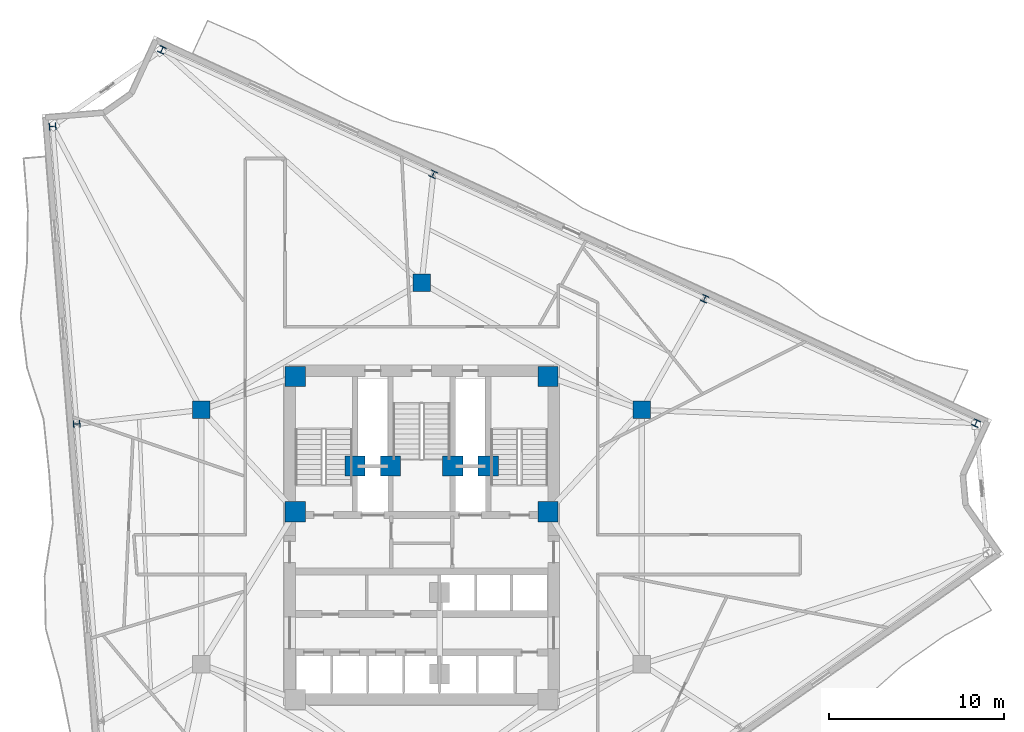
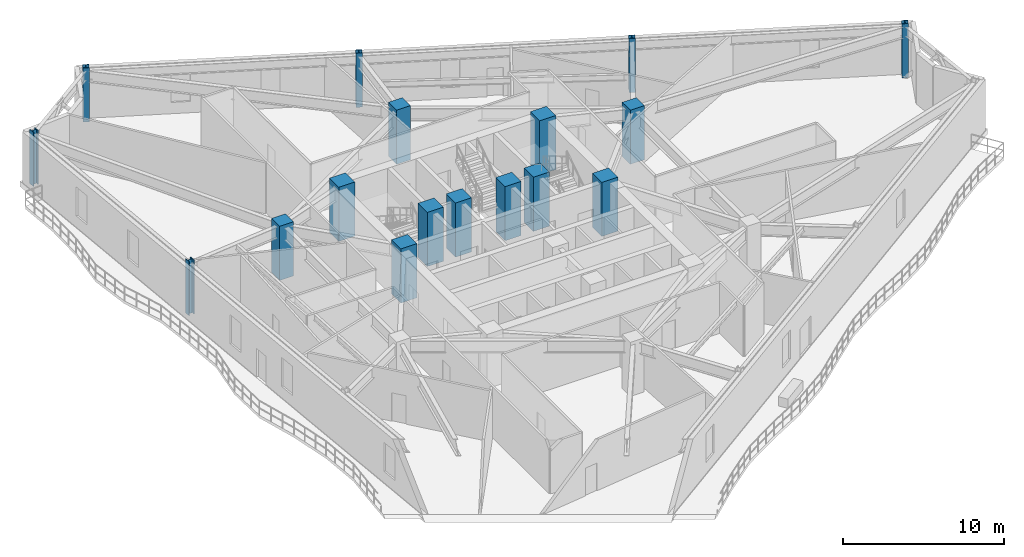
# One storey, part 2 of 14: 17 columns.
"""IFC4 building model written with IfcOpenShell, lengths in metres."""

import ifcopenshell
import ifcopenshell.guid

model = None  # the IFC model being written
_history = None  # IfcOwnerHistory: only IFC2X3 demands one
_inside = {}  # id of a spatial element -> (the spatial element, [elements in it])
_under = {}  # id of a project, library or spatial element -> (it, [spatial elements below it])
_declared = {}  # id of a project -> (the project, [libraries it declares])
_typed = {}  # id of a type object -> (the type object, [elements of that type])
_made_of = {}  # id of a material, layer set ... -> (it, [elements and type objects made of it])


def new_model(schema):
    """Start an empty IFC model of exactly this schema.

    Asked for "IFC4X3", IfcOpenShell would pick the latest addendum, in which some entities
    have other attributes; the version numbers below select the first issue.
    IFC2X3 requires an IfcOwnerHistory on every rooted entity: one is made here for all.
    """
    global model, _history
    if schema == "IFC4X3":
        model = ifcopenshell.file(schema_version=(4, 3, 0, 0))
    else:
        model = ifcopenshell.file(schema=schema)
    _inside.clear()
    _under.clear()
    _declared.clear()
    _typed.clear()
    _made_of.clear()
    _history = None
    if model.schema == "IFC2X3":
        org = make("IfcOrganization", Name="unknown")
        user = make(
            "IfcPersonAndOrganization",
            ThePerson=make("IfcPerson", FamilyName="unknown"),
            TheOrganization=org,
        )
        app = make(
            "IfcApplication",
            ApplicationDeveloper=org,
            Version="unknown",
            ApplicationFullName="unknown",
            ApplicationIdentifier="unknown",
        )
        _history = make(
            "IfcOwnerHistory",
            OwningUser=user,
            OwningApplication=app,
            ChangeAction="ADDED",
            CreationDate=0,
        )
    return model


def make(cls, **values):
    """One entity of the class cls with the attributes given. An attribute that is None is left unset."""
    return model.create_entity(
        cls, **{name: value for name, value in values.items() if value is not None}
    )


def rooted(cls, **values):
    """An entity with a GlobalId (a new one), such as an element, a storey or a relation."""
    return make(cls, GlobalId=ifcopenshell.guid.new(), OwnerHistory=_history, **values)


def si_unit(unit_type, name, prefix=None):
    """IfcSIUnit, for example si_unit("LENGTHUNIT", "METRE", prefix="MILLI")."""
    return make("IfcSIUnit", UnitType=unit_type, Prefix=prefix, Name=name)


def assignment(units):
    """IfcUnitAssignment: the units of a project."""
    return None if units is None else make("IfcUnitAssignment", Units=units)


def point(xyz):
    """IfcCartesianPoint."""
    return None if xyz is None else make("IfcCartesianPoint", Coordinates=xyz)


def direction(xyz):
    """IfcDirection."""
    return None if xyz is None else make("IfcDirection", DirectionRatios=xyz)


def frame(location, z_axis=None, x_axis=None):
    """IfcAxis2Placement3D, a coordinate frame: its origin and axes. An axis left out is left unset."""
    return make(
        "IfcAxis2Placement3D",
        Location=point(location),
        Axis=direction(z_axis),
        RefDirection=direction(x_axis),
    )


def frame_2d(location, x_axis=None):
    """IfcAxis2Placement2D, a coordinate frame in the plane: its origin and x axis."""
    return make(
        "IfcAxis2Placement2D", Location=point(location), RefDirection=direction(x_axis)
    )


def origin():
    """The frame at (0, 0, 0) with its axes left unset."""
    return frame((0.0, 0.0, 0.0))


def origin_2d():
    """The frame at (0, 0) in the plane with its x axis left unset."""
    return frame_2d((0.0, 0.0))


def place(relative_to, where):
    """IfcLocalPlacement: puts the frame where relative to a parent placement (None: the world)."""
    return make(
        "IfcLocalPlacement", PlacementRelTo=relative_to, RelativePlacement=where
    )


def context(
    kind, dimensions, precision=None, world=None, true_north=None, identifier=None
):
    """IfcGeometricRepresentationContext, for example the 3D "Model" context."""
    return make(
        "IfcGeometricRepresentationContext",
        ContextIdentifier=identifier,
        ContextType=kind,
        CoordinateSpaceDimension=dimensions,
        Precision=precision,
        WorldCoordinateSystem=world,
        TrueNorth=true_north,
    )


def subcontext(parent, identifier, kind, view, scale=None):
    """IfcGeometricRepresentationSubContext, for example "Body" below "Model"."""
    return make(
        "IfcGeometricRepresentationSubContext",
        ContextIdentifier=identifier,
        ContextType=kind,
        ParentContext=parent,
        TargetScale=scale,
        TargetView=view,
    )


def project(units=None, contexts=None):
    """IfcProject with its units and contexts."""
    return rooted(
        "IfcProject",
        Name="project",
        RepresentationContexts=contexts,
        UnitsInContext=assignment(units),
    )


def spatial(cls, under=None, at=None, **own):
    """A site, building, storey or space (cls), placed at a placement, below another one or the project."""
    s = rooted(cls, ObjectPlacement=at, **own)
    if under is not None:
        _under.setdefault(under.id(), (under, []))[1].append(s)
    return s


def profile(cls, at=None, kind="AREA", **sizes):
    """A parametric profile (cls). Its sizes go by their IFC names, for example OverallWidth=200.0."""
    return make(cls, ProfileType=kind, Position=at, **sizes)


def rectangle(**sizes):
    """IfcRectangleProfileDef."""
    return profile("IfcRectangleProfileDef", **sizes)


def i_section(**sizes):
    """IfcIShapeProfileDef."""
    return profile("IfcIShapeProfileDef", **sizes)


def extrude(swept, where, along, depth):
    """IfcExtrudedAreaSolid: the profile swept, set in the frame where, extruded along a direction by depth."""
    return make(
        "IfcExtrudedAreaSolid",
        SweptArea=swept,
        Position=where,
        ExtrudedDirection=direction(along),
        Depth=depth,
    )


def shape(context_of_items, identifier, shape_type, items):
    """IfcShapeRepresentation: the items that make up one representation, for example the "Body"."""
    return make(
        "IfcShapeRepresentation",
        ContextOfItems=context_of_items,
        RepresentationIdentifier=identifier,
        RepresentationType=shape_type,
        Items=items,
    )


def material(Name=None, Category=None):
    """IfcMaterial."""
    return make("IfcMaterial", Name=Name, Category=Category)


def material_profile(
    of_material, cross_section, Name=None, Category=None, Priority=None
):
    """IfcMaterialProfile: a cross section and its material."""
    return make(
        "IfcMaterialProfile",
        Name=Name,
        Material=of_material,
        Profile=cross_section,
        Priority=Priority,
        Category=Category,
    )


def profile_set(profiles, Name=None, composite=None):
    """IfcMaterialProfileSet."""
    return make(
        "IfcMaterialProfileSet",
        Name=Name,
        MaterialProfiles=profiles,
        CompositeProfile=composite,
    )


def made_of(thing, what):
    """Note that an element or type object is made of a material, layer set ...; save() writes the relation."""
    if what is not None:
        _made_of.setdefault(what.id(), (what, []))[1].append(thing)
    return thing


def type_object(cls, material=None, **own):
    """A type object (cls), such as IfcWallType, which elements share."""
    return made_of(rooted(cls, **own), material)


def element(
    cls,
    number,
    at=None,
    inside=None,
    cuts=None,
    type_object=None,
    material=None,
    context=None,
    identifier="Body",
    shape_type=None,
    held_by="IfcProductDefinitionShape",
    body=None,
    shapes=None,
    **own,
):
    """One element of the class cls, such as IfcWall. Its Tag is "e" and its number.

    at: its placement. inside: the storey or other place that contains it. cuts: it is an
    opening in that element (IfcRelVoidsElement). A single representation is given by context,
    identifier, shape_type and body (its items); several are given by shapes. held_by: the class
    of the entity that holds the representations. save() writes the other relations.
    """
    e = rooted(cls, Tag="e%d" % number, ObjectPlacement=at, **own)
    if body is not None:
        shapes = [shape(context, identifier, shape_type, body)]
    if shapes is not None:
        e.Representation = make(held_by, Representations=shapes)
    if inside is not None:
        _inside.setdefault(inside.id(), (inside, []))[1].append(e)
    if cuts is not None:
        rooted(
            "IfcRelVoidsElement", RelatingBuildingElement=cuts, RelatedOpeningElement=e
        )
    if type_object is not None:
        _typed.setdefault(type_object.id(), (type_object, []))[1].append(e)
    return made_of(e, material)


def aggregate(whole, parts):
    """IfcRelAggregates: a whole, such as a stair, and the parts it consists of."""
    return rooted("IfcRelAggregates", RelatingObject=whole, RelatedObjects=parts)


def save(model, path):
    """Write the relations noted so far, then the file.

    IfcRelAggregates (storeys below a building ...), IfcRelContainedInSpatialStructure (elements
    in a storey), IfcRelDefinesByType, IfcRelAssociatesMaterial and IfcRelDeclares: one each for
    every whole, place, type object, material and project.
    """
    for whole, parts in _under.values():
        aggregate(whole, parts)
    for where, things in _inside.values():
        rooted(
            "IfcRelContainedInSpatialStructure",
            RelatedElements=things,
            RelatingStructure=where,
        )
    for kind, things in _typed.values():
        rooted("IfcRelDefinesByType", RelatedObjects=things, RelatingType=kind)
    for what, things in _made_of.values():
        rooted("IfcRelAssociatesMaterial", RelatedObjects=things, RelatingMaterial=what)
    for by, libraries in _declared.values():
        rooted("IfcRelDeclares", RelatingContext=by, RelatedDefinitions=libraries)
    model.write(path)


model = new_model("IFC4")

# Units and contexts
model_context = context("Model", 3, precision=1e-05, world=origin(), true_north=direction((0.0, 1.0)))
body_context = subcontext(model_context, "Body", "Model", "MODEL_VIEW")
ifc_project = project(units=[si_unit("LENGTHUNIT", "METRE"), si_unit("AREAUNIT", "SQUARE_METRE"), si_unit("VOLUMEUNIT", "CUBIC_METRE"), si_unit("PLANEANGLEUNIT", "RADIAN"), si_unit("MASSUNIT", "GRAM", prefix="KILO")], contexts=[model_context])

# Site, building, storey
site_placement = place(None, origin())
site = spatial("IfcSite", under=ifc_project, at=site_placement, CompositionType="ELEMENT")
building_placement = place(site_placement, origin())
building = spatial("IfcBuilding", under=site, at=building_placement, Name="Apsidion Concourse Tower", CompositionType="ELEMENT")
storey_placement = place(building_placement, frame((0.0, 0.0, 194.199951171875)))
storey = spatial("IfcBuildingStorey", under=building, at=storey_placement, Name="L45", CompositionType="ELEMENT", Elevation=194.199951171875)

# Columns
ifc_material_1 = material(Name="Concrete C50/60", Category="concrete")
ifc_material_profile_1 = material_profile(ifc_material_1, rectangle(XDim=1.0, YDim=1.0, at=origin_2d()), Name="RC 1000x1000")
ifc_profile_set_1 = profile_set([ifc_material_profile_1], Name="Concrete C50/60")
column_type_1 = type_object("IfcColumnType", Name="COL-RC-1000", PredefinedType="COLUMN", material=ifc_profile_set_1)
for number, where, z_axis, x_axis, name in (
    (1, (12.56005859375, 7.25, 0.0), (0.0, 0.0, 1.0), (1.0, 0.0, 0.0), "L45 Interior Spine Column IC3"),
    (2, (0.0, 14.5, 0.0), (0.0, 0.0, 1.0), (1.0, 0.0, 0.0), "L45 Interior Spine Column IC4"),
    (3, (-12.56005859375, 7.25, 0.0), (0.0, 0.0, 1.0), (1.0, 0.0, 0.0), "L45 Interior Spine Column IC5"),
):
    element("IfcColumn", number, at=place(storey_placement, frame(where, z_axis=z_axis, x_axis=x_axis)), inside=storey, type_object=column_type_1, Name=name, PredefinedType="COLUMN", context=body_context, shape_type="SweptSolid", body=[
        extrude(rectangle(XDim=1.0, YDim=1.0, at=origin_2d()), origin(), (0.0, 0.0, 1.0), 4.10009765625),
    ])
ifc_material_profile_2 = material_profile(ifc_material_1, rectangle(XDim=1.14990234375, YDim=1.14990234375, at=origin_2d()), Name="RC 1150x1150")
ifc_profile_set_2 = profile_set([ifc_material_profile_2], Name="Concrete C50/60")
column_type_2 = type_object("IfcColumnType", Name="COL-RC-1150", PredefinedType="COLUMN", material=ifc_profile_set_2)
for number, where, z_axis, x_axis, name in (
    (4, (7.199951171875, 1.449951171875, 0.0), (0.0, 0.0, 1.0), (1.0, 0.0, 0.0), "L45 Core Super-Column SC3"),
    (5, (7.199951171875, 9.14990234375, 0.0), (0.0, 0.0, 1.0), (1.0, 0.0, 0.0), "L45 Core Super-Column SC4"),
    (6, (-7.199951171875, 9.14990234375, 0.0), (0.0, 0.0, 1.0), (1.0, 0.0, 0.0), "L45 Core Super-Column SC5"),
    (7, (-7.199951171875, 1.449951171875, 0.0), (0.0, 0.0, 1.0), (1.0, 0.0, 0.0), "L45 Core Super-Column SC6"),
    (8, (-3.800048828125, 4.050048828125, 0.0), (0.0, 0.0, 1.0), (1.0, 0.0, 0.0), "L45 Core Super-Column CC1"),
    (9, (3.800048828125, 4.050048828125, 0.0), (0.0, 0.0, 1.0), (1.0, 0.0, 0.0), "L45 Core Super-Column CC2"),
    (10, (-1.77490234375, 4.050048828125, 0.0), (0.0, 0.0, 1.0), (1.0, 0.0, 0.0), "L45 Core Super-Column CC3"),
    (11, (1.77490234375, 4.050048828125, 0.0), (0.0, 0.0, 1.0), (1.0, 0.0, 0.0), "L45 Core Super-Column CC4"),
):
    element("IfcColumn", number, at=place(storey_placement, frame(where, z_axis=z_axis, x_axis=x_axis)), inside=storey, type_object=column_type_2, Name=name, PredefinedType="COLUMN", context=body_context, shape_type="SweptSolid", body=[
        extrude(rectangle(XDim=1.14990234375, YDim=1.14990234375, at=origin_2d()), origin(), (0.0, 0.0, 1.0), 4.10009765625),
    ])
ifc_material_2 = material(Name="Structural steel ASTM A992 Grade 50", Category="steel")
ifc_material_profile_3 = material_profile(ifc_material_2, i_section(OverallWidth=0.39892578125, OverallDepth=0.385986328125, WebThickness=0.02099609375, FlangeThickness=0.033203125, at=origin_2d()), Name="W14X176")
ifc_profile_set_3 = profile_set([ifc_material_profile_3], Name="Structural steel ASTM A992 Grade 50")
column_type_3 = type_object("IfcColumnType", Name="COL-W14-176", PredefinedType="COLUMN", material=ifc_profile_set_3)
for number, where, z_axis, x_axis, name in (
    (12, (-21.03759765625, 23.412841796875, 0.0), (0.0, 0.0, 1.0), (-0.080720825512, 0.996736749763, 0.0), "L45 Rotated Perimeter Column PC01"),
    (13, (-19.66357421875, 6.451171875, 0.0), (0.0, 0.0, 1.0), (-0.080720825512, 0.996736749763, 0.0), "L45 Rotated Perimeter Column PC02"),
    (14, (31.600830078125, 6.499267578125, 0.0), (0.0, 0.0, 1.0), (-0.909018020308, 0.416756810089, 0.0), "L45 Rotated Perimeter Column PC09"),
    (15, (16.132080078125, 13.591796875, 0.0), (0.0, 0.0, 1.0), (-0.909018020308, 0.416756810089, 0.0), "L45 Rotated Perimeter Column PC10"),
    (16, (0.663330078125, 20.68408203125, 0.0), (0.0, 0.0, 1.0), (-0.909018020308, 0.416756810089, 0.0), "L45 Rotated Perimeter Column PC11"),
    (17, (-14.805419921875, 27.776611328125, 0.0), (0.0, 0.0, 1.0), (-0.909018020308, 0.416756810089, 0.0), "L45 Rotated Perimeter Column PC12"),
):
    element("IfcColumn", number, at=place(storey_placement, frame(where, z_axis=z_axis, x_axis=x_axis)), inside=storey, type_object=column_type_3, Name=name, PredefinedType="COLUMN", context=body_context, shape_type="SweptSolid", body=[
        extrude(i_section(OverallWidth=0.39892578125, OverallDepth=0.385986328125, WebThickness=0.02099609375, FlangeThickness=0.033203125, at=origin_2d()), origin(), (0.0, 0.0, 1.0), 4.10009765625),
    ])

save(model, "model.ifc")
